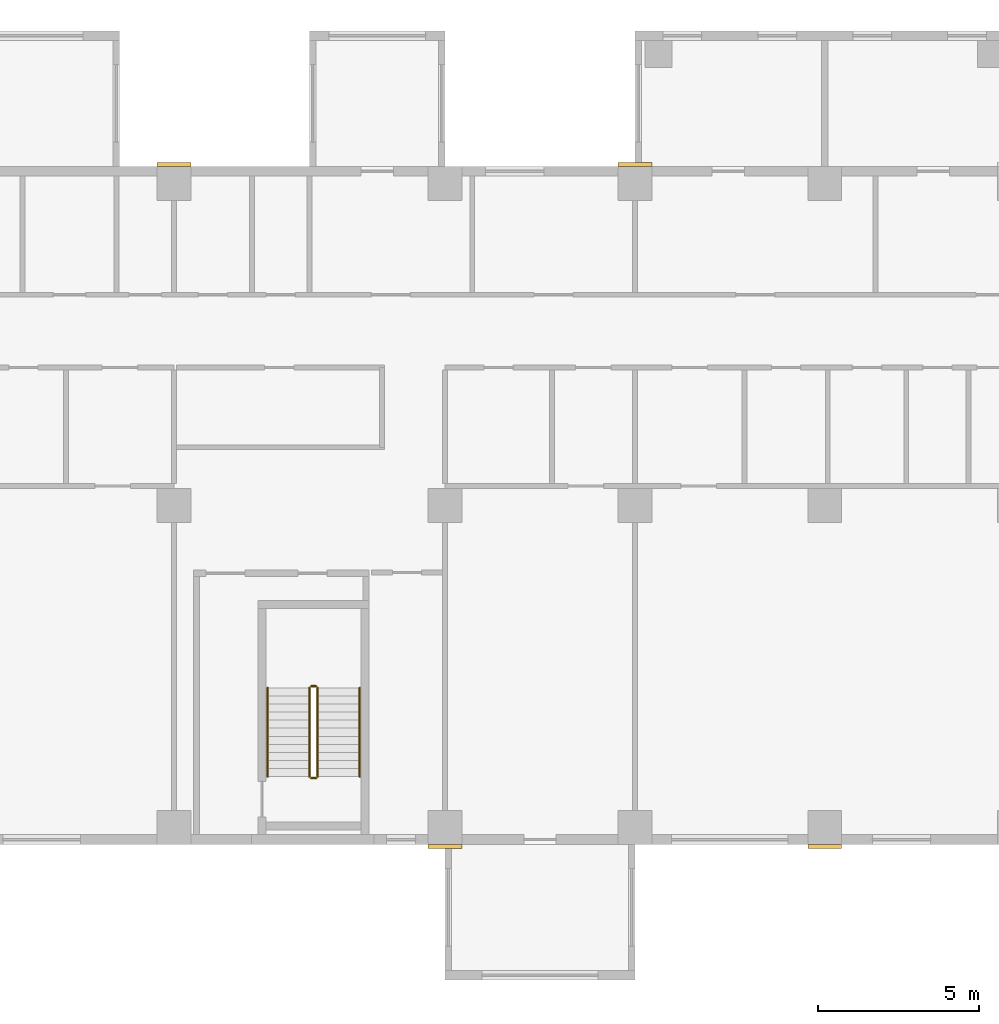
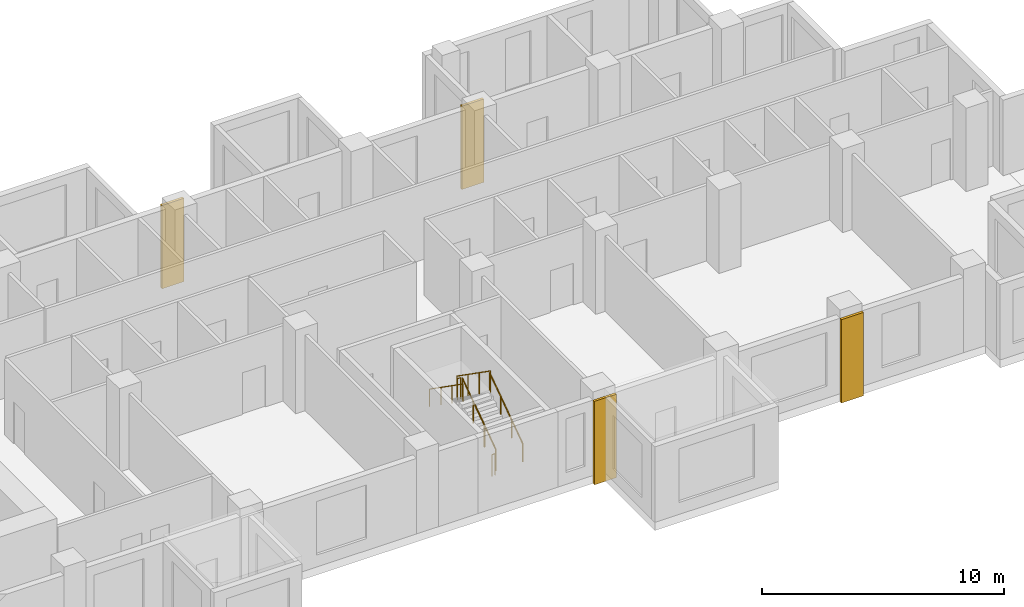
# One storey, part 13 of 15: 6 railings, 4 coverings.
"""IFC4 building model written with IfcOpenShell, lengths in metres."""

from ifc_helpers import new_model, si_unit, direction, frame, origin, origin_2d, place, context, subcontext, project, spatial, rectangle, circle, extrude, source, transform, mapped, material, type_object, element, save


model = new_model("IFC4")

# Units and contexts
model_context = context("Model", 3, precision=1e-05, world=origin(), true_north=direction((0.0, 1.0)))
body_context = subcontext(model_context, "Body", "Model", "MODEL_VIEW")
ifc_project = project(units=[si_unit("LENGTHUNIT", "METRE"), si_unit("AREAUNIT", "SQUARE_METRE"), si_unit("VOLUMEUNIT", "CUBIC_METRE"), si_unit("PLANEANGLEUNIT", "RADIAN"), si_unit("MASSUNIT", "GRAM", prefix="KILO")], contexts=[model_context])

# Site, building, storey
site_placement = place(None, origin())
site = spatial("IfcSite", under=ifc_project, at=site_placement, CompositionType="ELEMENT")
building_placement = place(site_placement, origin())
building = spatial("IfcBuilding", under=site, at=building_placement, Name="Aurelian Terraces", CompositionType="ELEMENT")
storey_placement = place(building_placement, frame((0.0, 0.0, 137.1)))
storey = spatial("IfcBuildingStorey", under=building, at=storey_placement, Name="L30", CompositionType="ELEMENT", Elevation=137.1)

# Coverings
ifc_material_1 = material(Name="Terracotta rainscreen cladding relief", Category="masonry")
covering_type = type_object("IfcCoveringType", Name="BAGUETTE-TC", PredefinedType="CLADDING", material=ifc_material_1)
shared_shape_1 = source(origin(), body_context, "Body", "SweptSolid", [
    extrude(rectangle(XDim=1.05, YDim=0.12, at=origin_2d()), origin(), (0.0, 0.0, 1.0), 4.2),
])
for number, where, z_axis, x_axis, name in (
    (1, (46.2, -0.06, -0.4), (0.0, 0.0, 1.0), (1.0, 0.0, 0.0), "BAGUETTE pier L30 3"),
    (2, (57.96, -0.06, -0.4), (0.0, 0.0, 1.0), (1.0, 0.0, 0.0), "BAGUETTE pier L30 4"),
    (3, (37.8, 21.06, -0.4), (0.0, 0.0, 1.0), (1.0, 0.0, 0.0), "BAGUETTE pier L30 7"),
    (4, (52.08, 21.06, -0.4), (0.0, 0.0, 1.0), (1.0, 0.0, 0.0), "BAGUETTE pier L30 8"),
):
    element("IfcCovering", number, at=place(storey_placement, frame(where, z_axis=z_axis, x_axis=x_axis)), inside=storey, type_object=covering_type, Name=name, PredefinedType="CLADDING", context=body_context, shape_type="MappedRepresentation", body=[
        mapped(shared_shape_1, transform((0.0, 0.0, 0.0), scale=1.0)),
    ])

# Railings
ifc_material_2 = material(Name="Stainless steel", Category="steel")
railing_type_1 = type_object("IfcRailingType", Name="Stair guard 1100", PredefinedType="GUARDRAIL", material=ifc_material_2)
shared_shape_2 = source(origin(), body_context, "Body", "SweptSolid", [
    extrude(circle(Radius=0.024, at=origin_2d()), frame((0.0, 0.0, 1.076), z_axis=(-1.0, 0.0, 0.0), x_axis=(0.0, -1.0, 0.0)), (0.0, 0.0, 1.0), 0.15),
    extrude(circle(Radius=0.021, at=origin_2d()), origin(), (0.0, 0.0, 1.0), 1.052),
    extrude(circle(Radius=0.021, at=origin_2d()), frame((-0.15, 0.0, 0.0)), (0.0, 0.0, 1.0), 1.052),
])
for number, where, name in (
    (5, (42.2, 4.9, 2.1), "L30 S2 stair guard 2"),
    (6, (42.2, 2.05, 0.0), "L30 S2 stair guard 4"),
):
    element("IfcRailing", number, at=place(storey_placement, frame(where)), inside=storey, type_object=railing_type_1, Name=name, PredefinedType="GUARDRAIL", context=body_context, shape_type="MappedRepresentation", body=[
        mapped(shared_shape_2, transform((0.0, 0.0, 0.0), scale=1.0)),
    ])
shared_shape_3 = source(origin(), body_context, "Body", "SweptSolid", [
    extrude(circle(Radius=0.024, at=origin_2d()), frame((0.0, 0.0, 1.076), z_axis=(0.0, 0.819231920519, 0.573462344363), x_axis=(-1.0, 0.0, 0.0)), (0.0, 0.0, 1.0), 3.3568),
    extrude(circle(Radius=0.021, at=origin_2d()), origin(), (0.0, 0.0, 1.0), 1.052),
    extrude(circle(Radius=0.021, at=origin_2d()), frame((0.0, 0.9167, 0.6417)), (0.0, 0.0, 1.0), 1.052),
    extrude(circle(Radius=0.021, at=origin_2d()), frame((0.0, 1.8333, 1.2833)), (0.0, 0.0, 1.0), 1.052),
    extrude(circle(Radius=0.021, at=origin_2d()), frame((0.0, 2.75, 1.925)), (0.0, 0.0, 1.0), 1.052),
])
railing_1_placement = place(storey_placement, frame((42.25, 2.1, 0.175)))
element("IfcRailing", 7, at=railing_1_placement, inside=storey, type_object=railing_type_1, Name="L30 S2 stair guard 1", PredefinedType="GUARDRAIL", context=body_context, shape_type="MappedRepresentation", body=[
    mapped(shared_shape_3, transform((0.0, 0.0, 0.0), scale=1.0)),
])
shared_shape_4 = source(origin(), body_context, "Body", "SweptSolid", [
    extrude(circle(Radius=0.024, at=origin_2d()), frame((0.0, 0.0, 1.076), z_axis=(0.0, -0.819231920519, 0.573462344363), x_axis=(1.0, 0.0, 0.0)), (0.0, 0.0, 1.0), 3.3568),
    extrude(circle(Radius=0.021, at=origin_2d()), origin(), (0.0, 0.0, 1.0), 1.052),
    extrude(circle(Radius=0.021, at=origin_2d()), frame((0.0, -0.9167, 0.6417)), (0.0, 0.0, 1.0), 1.052),
    extrude(circle(Radius=0.021, at=origin_2d()), frame((0.0, -1.8333, 1.2833)), (0.0, 0.0, 1.0), 1.052),
    extrude(circle(Radius=0.021, at=origin_2d()), frame((0.0, -2.75, 1.925)), (0.0, 0.0, 1.0), 1.052),
])
railing_2_placement = place(storey_placement, frame((42.0, 4.85, 2.275)))
element("IfcRailing", 8, at=railing_2_placement, inside=storey, type_object=railing_type_1, Name="L30 S2 stair guard 3", PredefinedType="GUARDRAIL", context=body_context, shape_type="MappedRepresentation", body=[
    mapped(shared_shape_4, transform((0.0, 0.0, 0.0), scale=1.0)),
])
railing_type_2 = type_object("IfcRailingType", Name="Stair handrail", PredefinedType="HANDRAIL", material=ifc_material_2)
shared_shape_5 = source(origin(), body_context, "Body", "SweptSolid", [
    extrude(circle(Radius=0.024, at=origin_2d()), frame((0.0, 0.0, 0.876), z_axis=(0.0, 0.819231920519, 0.573462344363), x_axis=(-1.0, 0.0, 0.0)), (0.0, 0.0, 1.0), 3.3568),
    extrude(circle(Radius=0.021, at=origin_2d()), origin(), (0.0, 0.0, 1.0), 0.852),
    extrude(circle(Radius=0.021, at=origin_2d()), frame((0.0, 0.9167, 0.6417)), (0.0, 0.0, 1.0), 0.852),
    extrude(circle(Radius=0.021, at=origin_2d()), frame((0.0, 1.8333, 1.2833)), (0.0, 0.0, 1.0), 0.852),
    extrude(circle(Radius=0.021, at=origin_2d()), frame((0.0, 2.75, 1.925)), (0.0, 0.0, 1.0), 0.852),
])
railing_3_placement = place(storey_placement, frame((43.55, 2.1, 0.175)))
element("IfcRailing", 9, at=railing_3_placement, inside=storey, type_object=railing_type_2, Name="L30 S2 stair handrail 1", PredefinedType="HANDRAIL", context=body_context, shape_type="MappedRepresentation", body=[
    mapped(shared_shape_5, transform((0.0, 0.0, 0.0), scale=1.0)),
])
shared_shape_6 = source(origin(), body_context, "Body", "SweptSolid", [
    extrude(circle(Radius=0.024, at=origin_2d()), frame((0.0, 0.0, 0.876), z_axis=(0.0, -0.819231920519, 0.573462344363), x_axis=(1.0, 0.0, 0.0)), (0.0, 0.0, 1.0), 3.3568),
    extrude(circle(Radius=0.021, at=origin_2d()), origin(), (0.0, 0.0, 1.0), 0.852),
    extrude(circle(Radius=0.021, at=origin_2d()), frame((0.0, -0.9167, 0.6417)), (0.0, 0.0, 1.0), 0.852),
    extrude(circle(Radius=0.021, at=origin_2d()), frame((0.0, -1.8333, 1.2833)), (0.0, 0.0, 1.0), 0.852),
    extrude(circle(Radius=0.021, at=origin_2d()), frame((0.0, -2.75, 1.925)), (0.0, 0.0, 1.0), 0.852),
])
railing_4_placement = place(storey_placement, frame((40.7, 4.85, 2.275)))
element("IfcRailing", 10, at=railing_4_placement, inside=storey, type_object=railing_type_2, Name="L30 S2 stair handrail 2", PredefinedType="HANDRAIL", context=body_context, shape_type="MappedRepresentation", body=[
    mapped(shared_shape_6, transform((0.0, 0.0, 0.0), scale=1.0)),
])

save(model, "model.ifc")
